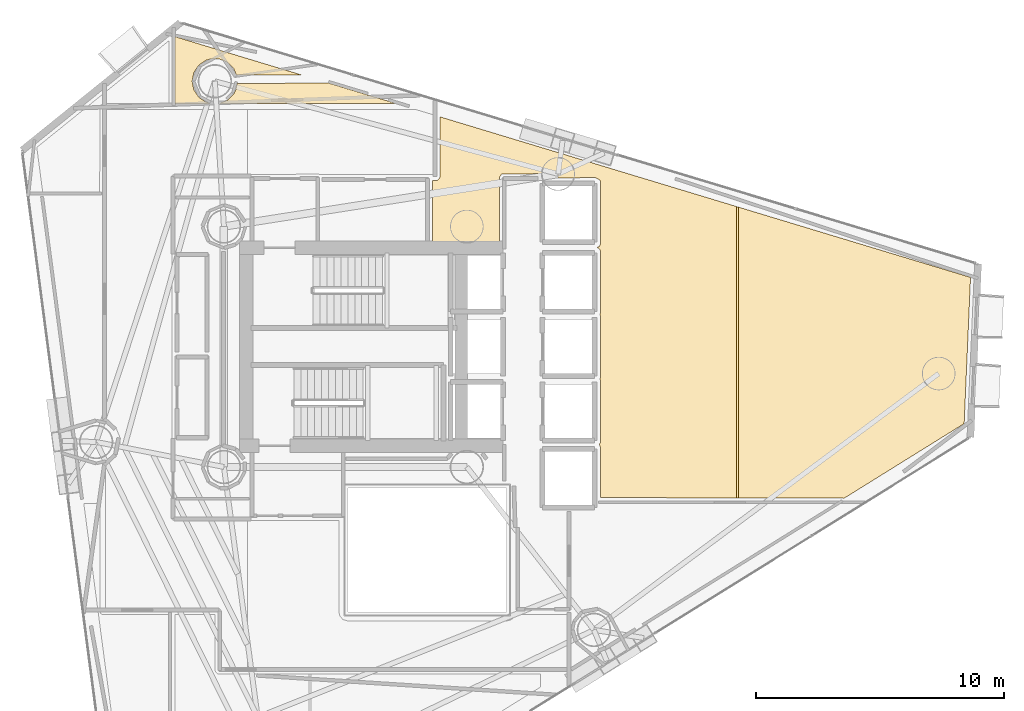
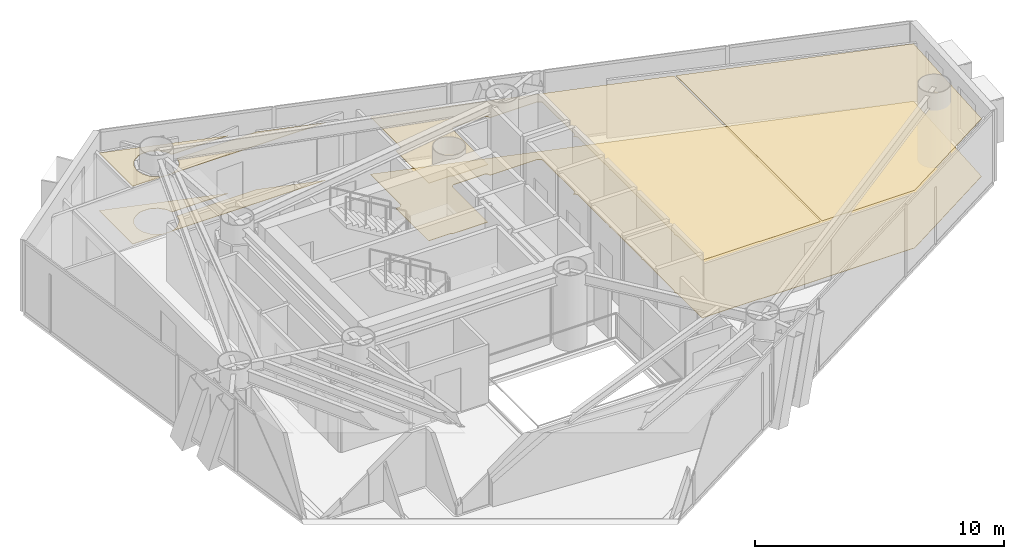
# One storey, part 22 of 22: 5 coverings.
"""IFC4 building model written with IfcOpenShell, lengths in metres."""

import ifcopenshell
import ifcopenshell.guid

model = None  # the IFC model being written
_history = None  # IfcOwnerHistory: only IFC2X3 demands one
_inside = {}  # id of a spatial element -> (the spatial element, [elements in it])
_under = {}  # id of a project, library or spatial element -> (it, [spatial elements below it])
_declared = {}  # id of a project -> (the project, [libraries it declares])
_typed = {}  # id of a type object -> (the type object, [elements of that type])
_made_of = {}  # id of a material, layer set ... -> (it, [elements and type objects made of it])


def new_model(schema):
    """Start an empty IFC model of exactly this schema.

    Asked for "IFC4X3", IfcOpenShell would pick the latest addendum, in which some entities
    have other attributes; the version numbers below select the first issue.
    IFC2X3 requires an IfcOwnerHistory on every rooted entity: one is made here for all.
    """
    global model, _history
    if schema == "IFC4X3":
        model = ifcopenshell.file(schema_version=(4, 3, 0, 0))
    else:
        model = ifcopenshell.file(schema=schema)
    _inside.clear()
    _under.clear()
    _declared.clear()
    _typed.clear()
    _made_of.clear()
    _history = None
    if model.schema == "IFC2X3":
        org = make("IfcOrganization", Name="unknown")
        user = make(
            "IfcPersonAndOrganization",
            ThePerson=make("IfcPerson", FamilyName="unknown"),
            TheOrganization=org,
        )
        app = make(
            "IfcApplication",
            ApplicationDeveloper=org,
            Version="unknown",
            ApplicationFullName="unknown",
            ApplicationIdentifier="unknown",
        )
        _history = make(
            "IfcOwnerHistory",
            OwningUser=user,
            OwningApplication=app,
            ChangeAction="ADDED",
            CreationDate=0,
        )
    return model


def make(cls, **values):
    """One entity of the class cls with the attributes given. An attribute that is None is left unset."""
    return model.create_entity(
        cls, **{name: value for name, value in values.items() if value is not None}
    )


def rooted(cls, **values):
    """An entity with a GlobalId (a new one), such as an element, a storey or a relation."""
    return make(cls, GlobalId=ifcopenshell.guid.new(), OwnerHistory=_history, **values)


def si_unit(unit_type, name, prefix=None):
    """IfcSIUnit, for example si_unit("LENGTHUNIT", "METRE", prefix="MILLI")."""
    return make("IfcSIUnit", UnitType=unit_type, Prefix=prefix, Name=name)


def assignment(units):
    """IfcUnitAssignment: the units of a project."""
    return None if units is None else make("IfcUnitAssignment", Units=units)


def point(xyz):
    """IfcCartesianPoint."""
    return None if xyz is None else make("IfcCartesianPoint", Coordinates=xyz)


def direction(xyz):
    """IfcDirection."""
    return None if xyz is None else make("IfcDirection", DirectionRatios=xyz)


def frame(location, z_axis=None, x_axis=None):
    """IfcAxis2Placement3D, a coordinate frame: its origin and axes. An axis left out is left unset."""
    return make(
        "IfcAxis2Placement3D",
        Location=point(location),
        Axis=direction(z_axis),
        RefDirection=direction(x_axis),
    )


def origin():
    """The frame at (0, 0, 0) with its axes left unset."""
    return frame((0.0, 0.0, 0.0))


def place(relative_to, where):
    """IfcLocalPlacement: puts the frame where relative to a parent placement (None: the world)."""
    return make(
        "IfcLocalPlacement", PlacementRelTo=relative_to, RelativePlacement=where
    )


def context(
    kind, dimensions, precision=None, world=None, true_north=None, identifier=None
):
    """IfcGeometricRepresentationContext, for example the 3D "Model" context."""
    return make(
        "IfcGeometricRepresentationContext",
        ContextIdentifier=identifier,
        ContextType=kind,
        CoordinateSpaceDimension=dimensions,
        Precision=precision,
        WorldCoordinateSystem=world,
        TrueNorth=true_north,
    )


def subcontext(parent, identifier, kind, view, scale=None):
    """IfcGeometricRepresentationSubContext, for example "Body" below "Model"."""
    return make(
        "IfcGeometricRepresentationSubContext",
        ContextIdentifier=identifier,
        ContextType=kind,
        ParentContext=parent,
        TargetScale=scale,
        TargetView=view,
    )


def project(units=None, contexts=None):
    """IfcProject with its units and contexts."""
    return rooted(
        "IfcProject",
        Name="project",
        RepresentationContexts=contexts,
        UnitsInContext=assignment(units),
    )


def spatial(cls, under=None, at=None, **own):
    """A site, building, storey or space (cls), placed at a placement, below another one or the project."""
    s = rooted(cls, ObjectPlacement=at, **own)
    if under is not None:
        _under.setdefault(under.id(), (under, []))[1].append(s)
    return s


def polyline(points):
    """IfcPolyline through the points."""
    return make("IfcPolyline", Points=[point(p) for p in points])


def outline(outer, holes=None, kind="AREA"):
    """IfcArbitraryClosedProfileDef: a profile drawn as a closed curve; with holes, ...WithVoids."""
    if holes is None:
        return make("IfcArbitraryClosedProfileDef", ProfileType=kind, OuterCurve=outer)
    return make(
        "IfcArbitraryProfileDefWithVoids",
        ProfileType=kind,
        OuterCurve=outer,
        InnerCurves=holes,
    )


def extrude(swept, where, along, depth):
    """IfcExtrudedAreaSolid: the profile swept, set in the frame where, extruded along a direction by depth."""
    return make(
        "IfcExtrudedAreaSolid",
        SweptArea=swept,
        Position=where,
        ExtrudedDirection=direction(along),
        Depth=depth,
    )


def shape(context_of_items, identifier, shape_type, items):
    """IfcShapeRepresentation: the items that make up one representation, for example the "Body"."""
    return make(
        "IfcShapeRepresentation",
        ContextOfItems=context_of_items,
        RepresentationIdentifier=identifier,
        RepresentationType=shape_type,
        Items=items,
    )


def material(Name=None, Category=None):
    """IfcMaterial."""
    return make("IfcMaterial", Name=Name, Category=Category)


def layer(
    of_material, thickness, ventilated=None, Name=None, Category=None, Priority=None
):
    """IfcMaterialLayer: one layer of a wall or slab, of a material (None: an air gap)."""
    return make(
        "IfcMaterialLayer",
        Material=of_material,
        LayerThickness=thickness,
        IsVentilated=ventilated,
        Name=Name,
        Category=Category,
        Priority=Priority,
    )


def layer_set(layers, Name=None):
    """IfcMaterialLayerSet."""
    return make("IfcMaterialLayerSet", MaterialLayers=layers, LayerSetName=Name)


def made_of(thing, what):
    """Note that an element or type object is made of a material, layer set ...; save() writes the relation."""
    if what is not None:
        _made_of.setdefault(what.id(), (what, []))[1].append(thing)
    return thing


def type_object(cls, material=None, **own):
    """A type object (cls), such as IfcWallType, which elements share."""
    return made_of(rooted(cls, **own), material)


def element(
    cls,
    number,
    at=None,
    inside=None,
    cuts=None,
    type_object=None,
    material=None,
    context=None,
    identifier="Body",
    shape_type=None,
    held_by="IfcProductDefinitionShape",
    body=None,
    shapes=None,
    **own,
):
    """One element of the class cls, such as IfcWall. Its Tag is "e" and its number.

    at: its placement. inside: the storey or other place that contains it. cuts: it is an
    opening in that element (IfcRelVoidsElement). A single representation is given by context,
    identifier, shape_type and body (its items); several are given by shapes. held_by: the class
    of the entity that holds the representations. save() writes the other relations.
    """
    e = rooted(cls, Tag="e%d" % number, ObjectPlacement=at, **own)
    if body is not None:
        shapes = [shape(context, identifier, shape_type, body)]
    if shapes is not None:
        e.Representation = make(held_by, Representations=shapes)
    if inside is not None:
        _inside.setdefault(inside.id(), (inside, []))[1].append(e)
    if cuts is not None:
        rooted(
            "IfcRelVoidsElement", RelatingBuildingElement=cuts, RelatedOpeningElement=e
        )
    if type_object is not None:
        _typed.setdefault(type_object.id(), (type_object, []))[1].append(e)
    return made_of(e, material)


def aggregate(whole, parts):
    """IfcRelAggregates: a whole, such as a stair, and the parts it consists of."""
    return rooted("IfcRelAggregates", RelatingObject=whole, RelatedObjects=parts)


def save(model, path):
    """Write the relations noted so far, then the file.

    IfcRelAggregates (storeys below a building ...), IfcRelContainedInSpatialStructure (elements
    in a storey), IfcRelDefinesByType, IfcRelAssociatesMaterial and IfcRelDeclares: one each for
    every whole, place, type object, material and project.
    """
    for whole, parts in _under.values():
        aggregate(whole, parts)
    for where, things in _inside.values():
        rooted(
            "IfcRelContainedInSpatialStructure",
            RelatedElements=things,
            RelatingStructure=where,
        )
    for kind, things in _typed.values():
        rooted("IfcRelDefinesByType", RelatedObjects=things, RelatingType=kind)
    for what, things in _made_of.values():
        rooted("IfcRelAssociatesMaterial", RelatedObjects=things, RelatingMaterial=what)
    for by, libraries in _declared.values():
        rooted("IfcRelDeclares", RelatingContext=by, RelatedDefinitions=libraries)
    model.write(path)


model = new_model("IFC4")

# Units and contexts
model_context = context("Model", 3, precision=1e-05, world=origin(), true_north=direction((0.0, 1.0)))
body_context = subcontext(model_context, "Body", "Model", "MODEL_VIEW")
ifc_project = project(units=[si_unit("LENGTHUNIT", "METRE"), si_unit("AREAUNIT", "SQUARE_METRE"), si_unit("VOLUMEUNIT", "CUBIC_METRE"), si_unit("PLANEANGLEUNIT", "RADIAN"), si_unit("MASSUNIT", "GRAM", prefix="KILO")], contexts=[model_context])

# Site, building, storey
site_placement = place(None, origin())
site = spatial("IfcSite", under=ifc_project, at=site_placement, CompositionType="ELEMENT")
building_placement = place(site_placement, origin())
building = spatial("IfcBuilding", under=site, at=building_placement, Name="Qianvela Tower", CompositionType="ELEMENT")
storey_placement = place(building_placement, frame((0.0, 0.0, 177.199951171875)))
storey = spatial("IfcBuildingStorey", under=building, at=storey_placement, Name="L45", CompositionType="ELEMENT", Elevation=177.199951171875)

# Coverings
ifc_material_1 = material(Name="Perforated Mineral Acoustic Ceiling Tile")
ifc_layer_1 = layer(ifc_material_1, 0.02490234375)
ifc_layer_set_1 = layer_set([ifc_layer_1], Name="Perforated Mineral Acoustic Ceiling Tile")
covering_type_1 = type_object("IfcCoveringType", Name="COV-CEIL-ACOUSTIC-25", PredefinedType="CEILING", material=ifc_layer_set_1)
covering_1_placement = place(storey_placement, frame((0.0, 0.0, 2.81494140625)))
element("IfcCovering", 1, at=covering_1_placement, inside=storey, type_object=covering_type_1, Name="L45 Acoustic Ceiling Bay 1 Maker Craft Workshop L45-04", PredefinedType="CEILING", context=body_context, shape_type="SweptSolid", body=[
    extrude(outline(polyline([(43.722412109375, 32.739013671875), (43.729248046875, 32.74267578125), (43.73583984375, 32.746826171875), (43.741943359375, 32.751953125), (43.74755859375, 32.757568359375), (43.75244140625, 32.763427734375), (43.7568359375, 32.77001953125), (43.760498046875, 32.777099609375), (43.763427734375, 32.7841796875), (43.79541015625, 32.873046875), (43.79736328125, 32.879638671875), (43.798828125, 32.88671875), (43.7998046875, 32.8935546875), (43.800048828125, 32.900390625), (43.783447265625, 35.366455078125), (43.782958984375, 35.374755859375), (43.78173828125, 35.3828125), (43.779541015625, 35.390625), (43.776611328125, 35.398193359375), (43.77294921875, 35.40576171875), (43.7685546875, 35.41259765625), (43.763427734375, 35.4189453125), (43.7578125, 35.4248046875), (43.75146484375, 35.429931640625), (43.74462890625, 35.4345703125), (43.62109375, 35.508544921875), (43.61474609375, 35.51220703125), (43.608154296875, 35.514892578125), (43.601318359375, 35.51708984375), (43.593994140625, 35.518798828125), (43.5869140625, 35.519775390625), (43.57958984375, 35.52001953125), (41.429931640625, 35.51123046875), (41.40625, 35.58740234375), (41.4033203125, 35.594970703125), (41.399658203125, 35.602294921875), (41.395263671875, 35.609375), (41.390380859375, 35.615966796875), (41.384521484375, 35.621826171875), (41.37841796875, 35.627197265625), (41.37158203125, 35.6318359375), (41.312255859375, 35.66796875), (41.305908203125, 35.67138671875), (41.299072265625, 35.67431640625), (41.2919921875, 35.6767578125), (41.284912109375, 35.67822265625), (41.277587890625, 35.67919921875), (41.270263671875, 35.6796875), (39.84912109375, 35.673828125), (39.84130859375, 35.673583984375), (39.83349609375, 35.67236328125), (39.825927734375, 35.67041015625), (39.818603515625, 35.667724609375), (39.8115234375, 35.664306640625), (39.8046875, 35.660400390625), (39.798583984375, 35.65576171875), (39.792724609375, 35.650390625), (39.78759765625, 35.64453125), (39.782958984375, 35.638427734375), (39.7333984375, 35.564453125), (39.7294921875, 35.5576171875), (39.72607421875, 35.550537109375), (39.723388671875, 35.543212890625), (39.721435546875, 35.53564453125), (39.720458984375, 35.52783203125), (39.719970703125, 35.52001953125), (39.719970703125, 32.719970703125), (38.125, 32.719970703125), (38.03369140625, 32.762451171875), (38.025634765625, 32.765625), (38.017333984375, 32.76806640625), (38.0087890625, 32.76953125), (38.0, 32.77001953125), (37.010009765625, 32.77001953125), (37.010009765625, 35.400390625), (37.166015625, 35.401611328125), (37.17431640625, 35.402099609375), (37.1826171875, 35.4033203125), (37.1904296875, 35.405517578125), (37.1982421875, 35.408447265625), (37.20556640625, 35.412353515625), (37.212646484375, 35.416748046875), (37.218994140625, 35.422119140625), (37.224853515625, 35.427734375), (37.288818359375, 35.498291015625), (37.294189453125, 35.5048828125), (37.298828125, 35.511962890625), (37.302490234375, 35.51953125), (37.3056640625, 35.52734375), (37.307861328125, 35.535400390625), (37.30908203125, 35.543701171875), (37.3095703125, 35.552001953125), (37.31005859375, 37.976806640625), (49.276611328125, 34.3564453125), (49.276611328125, 22.60009765625), (46.470703125, 22.60009765625), (46.46630859375, 22.603759765625), (46.4599609375, 22.6083984375), (46.453369140625, 22.612548828125), (46.4462890625, 22.615966796875), (46.438720703125, 22.61865234375), (46.43115234375, 22.62060546875), (46.42333984375, 22.62158203125), (46.41552734375, 22.6220703125), (43.800048828125, 22.6220703125), (43.800048828125, 24.60009765625), (43.799560546875, 24.60791015625), (43.798583984375, 24.615478515625), (43.796630859375, 24.623291015625), (43.7939453125, 24.630615234375), (43.7529296875, 24.7294921875), (43.74951171875, 24.73681640625), (43.74560546875, 24.743408203125), (43.74072265625, 24.749755859375), (43.738525390625, 24.75244140625), (43.785888671875, 24.83154296875), (43.7900390625, 24.839111328125), (43.793212890625, 24.84716796875), (43.79541015625, 24.85546875), (43.796875, 24.864013671875), (43.79736328125, 24.87255859375), (43.800048828125, 27.2998046875), (43.799560546875, 27.307861328125), (43.79833984375, 27.31591796875), (43.79638671875, 27.323486328125), (43.793701171875, 27.3310546875), (43.7646484375, 27.39990234375), (43.793701171875, 27.468994140625), (43.79638671875, 27.476318359375), (43.79833984375, 27.484130859375), (43.799560546875, 27.491943359375), (43.800048828125, 27.5), (43.800048828125, 29.89990234375), (43.799560546875, 29.907958984375), (43.79833984375, 29.915771484375), (43.79638671875, 29.923583984375), (43.793701171875, 29.93115234375), (43.7646484375, 30.0), (43.793701171875, 30.06884765625), (43.79638671875, 30.076416015625), (43.79833984375, 30.084228515625), (43.799560546875, 30.09228515625), (43.800048828125, 30.10009765625), (43.7939453125, 32.540771484375), (43.793701171875, 32.548583984375), (43.79248046875, 32.556396484375), (43.79052734375, 32.56396484375), (43.787841796875, 32.5712890625), (43.784423828125, 32.578369140625), (43.780517578125, 32.585205078125), (43.7353515625, 32.652587890625), (43.73095703125, 32.658447265625), (43.726318359375, 32.6640625), (43.720947265625, 32.6689453125), (43.715087890625, 32.673583984375), (43.708984375, 32.677490234375), (43.702392578125, 32.680908203125), (43.69580078125, 32.68359375), (43.644287109375, 32.701904296875), (43.722412109375, 32.739013671875)])), origin(), (0.0, 0.0, 1.0), 0.025146484375),
])
covering_2_placement = place(storey_placement, frame((0.0, 0.0, 2.81494140625)))
element("IfcCovering", 2, at=covering_2_placement, inside=storey, type_object=covering_type_1, Name="L45 Acoustic Ceiling Bay 2 Maker Craft Workshop L45-04", PredefinedType="CEILING", context=body_context, shape_type="SweptSolid", body=[
    extrude(outline(polyline([(58.718994140625, 31.49951171875), (58.461181640625, 25.59912109375), (53.611083984375, 22.58349609375), (53.599609375, 22.58984375), (53.59228515625, 22.593505859375), (53.584716796875, 22.59619140625), (53.576904296875, 22.598388671875), (53.56884765625, 22.599609375), (53.560791015625, 22.60009765625), (49.3564453125, 22.60009765625), (49.3564453125, 34.332275390625), (58.718994140625, 31.49951171875)])), origin(), (0.0, 0.0, 1.0), 0.025146484375),
])
covering_3_placement = place(storey_placement, frame((0.0, 0.0, 2.81494140625)))
element("IfcCovering", 3, at=covering_3_placement, inside=storey, type_object=covering_type_1, Name="L45 Acoustic Ceiling Student Reading Library L45-05", PredefinedType="CEILING", context=body_context, shape_type="SweptSolid", body=[
    extrude(outline(polyline([(26.6220703125, 41.21044921875), (31.7099609375, 39.671142578125), (29.10400390625, 39.66455078125), (29.003173828125, 39.90576171875), (28.999755859375, 39.912841796875), (28.99560546875, 39.91943359375), (28.9912109375, 39.92578125), (28.98583984375, 39.931396484375), (28.755615234375, 40.161865234375), (28.749755859375, 40.1669921875), (28.743408203125, 40.171875), (28.736572265625, 40.17578125), (28.7294921875, 40.17919921875), (28.428466796875, 40.303955078125), (28.421142578125, 40.306396484375), (28.41357421875, 40.308349609375), (28.40576171875, 40.3095703125), (28.39794921875, 40.31005859375), (28.072021484375, 40.31005859375), (28.064208984375, 40.3095703125), (28.056396484375, 40.308349609375), (28.048828125, 40.306396484375), (27.89208984375, 40.259033203125), (27.884765625, 40.25634765625), (27.877685546875, 40.2529296875), (27.87109375, 40.2490234375), (27.60009765625, 40.068115234375), (27.59375, 40.063232421875), (27.587890625, 40.05810546875), (27.582763671875, 40.05224609375), (27.577880859375, 40.0458984375), (27.39697265625, 39.77490234375), (27.39306640625, 39.768310546875), (27.3896484375, 39.76123046875), (27.386962890625, 39.75390625), (27.385009765625, 39.74609375), (27.321533203125, 39.426513671875), (27.3203125, 39.418701171875), (27.320068359375, 39.410888671875), (27.3203125, 39.4033203125), (27.321533203125, 39.3955078125), (27.385009765625, 39.075927734375), (27.386962890625, 39.068115234375), (27.3896484375, 39.060791015625), (27.39306640625, 39.0537109375), (27.39697265625, 39.047119140625), (27.577880859375, 38.776123046875), (27.582763671875, 38.769775390625), (27.587890625, 38.763916015625), (27.59375, 38.7587890625), (27.60009765625, 38.75390625), (27.87109375, 38.572998046875), (27.877685546875, 38.569091796875), (27.884765625, 38.565673828125), (27.89208984375, 38.56298828125), (28.048828125, 38.515380859375), (28.056396484375, 38.513671875), (28.064208984375, 38.512451171875), (28.072021484375, 38.511962890625), (28.39794921875, 38.511962890625), (28.40576171875, 38.512451171875), (28.41357421875, 38.513671875), (28.421142578125, 38.515380859375), (28.428466796875, 38.51806640625), (28.7294921875, 38.642822265625), (28.736572265625, 38.646240234375), (28.743408203125, 38.650146484375), (28.749755859375, 38.65478515625), (28.755615234375, 38.66015625), (28.98583984375, 38.890380859375), (28.9912109375, 38.896240234375), (28.995849609375, 38.902587890625), (28.999755859375, 38.909423828125), (29.076904296875, 39.0537109375), (29.080322265625, 39.060791015625), (29.0830078125, 39.068115234375), (29.0849609375, 39.07568359375), (29.135009765625, 39.32470703125), (32.824462890625, 39.333984375), (35.5478515625, 38.510009765625), (26.6220703125, 38.510009765625), (26.6220703125, 41.21044921875)])), origin(), (0.0, 0.0, 1.0), 0.025146484375),
])
ifc_material_2 = material(Name="Engineered Acoustic Oak Timber Flooring", Category="wood")
ifc_layer_2 = layer(ifc_material_2, 0.02001953125)
ifc_layer_set_2 = layer_set([ifc_layer_2], Name="Engineered Acoustic Oak Timber Flooring")
covering_type_2 = type_object("IfcCoveringType", Name="COV-FLOOR-OAK-20", PredefinedType="FLOORING", material=ifc_layer_set_2)
covering_4_placement = place(storey_placement, origin())
element("IfcCovering", 4, at=covering_4_placement, inside=storey, type_object=covering_type_2, Name="L45 Finish Flooring Maker Craft Workshop L45-04", PredefinedType="FLOORING", context=body_context, shape_type="SweptSolid", body=[
    extrude(outline(polyline([(43.644287109375, 32.701904296875), (43.722412109375, 32.739013671875), (43.729248046875, 32.74267578125), (43.73583984375, 32.746826171875), (43.741943359375, 32.751953125), (43.74755859375, 32.757568359375), (43.75244140625, 32.763427734375), (43.7568359375, 32.77001953125), (43.760498046875, 32.777099609375), (43.763427734375, 32.7841796875), (43.79541015625, 32.873046875), (43.79736328125, 32.879638671875), (43.798828125, 32.88671875), (43.7998046875, 32.8935546875), (43.800048828125, 32.900390625), (43.783447265625, 35.366455078125), (43.782958984375, 35.374755859375), (43.78173828125, 35.3828125), (43.779541015625, 35.390625), (43.776611328125, 35.398193359375), (43.77294921875, 35.40576171875), (43.7685546875, 35.41259765625), (43.763427734375, 35.4189453125), (43.7578125, 35.4248046875), (43.75146484375, 35.429931640625), (43.74462890625, 35.4345703125), (43.62109375, 35.508544921875), (43.61474609375, 35.51220703125), (43.608154296875, 35.514892578125), (43.601318359375, 35.51708984375), (43.593994140625, 35.518798828125), (43.5869140625, 35.519775390625), (43.57958984375, 35.52001953125), (41.429931640625, 35.51123046875), (41.40625, 35.58740234375), (41.4033203125, 35.594970703125), (41.399658203125, 35.602294921875), (41.395263671875, 35.609375), (41.390380859375, 35.615966796875), (41.384521484375, 35.621826171875), (41.37841796875, 35.627197265625), (41.37158203125, 35.6318359375), (41.312255859375, 35.66796875), (41.305908203125, 35.67138671875), (41.299072265625, 35.67431640625), (41.2919921875, 35.6767578125), (41.284912109375, 35.67822265625), (41.277587890625, 35.67919921875), (41.270263671875, 35.6796875), (39.84912109375, 35.673828125), (39.84130859375, 35.673583984375), (39.83349609375, 35.67236328125), (39.825927734375, 35.67041015625), (39.818603515625, 35.667724609375), (39.8115234375, 35.664306640625), (39.8046875, 35.660400390625), (39.798583984375, 35.65576171875), (39.792724609375, 35.650390625), (39.78759765625, 35.64453125), (39.782958984375, 35.638427734375), (39.7333984375, 35.564453125), (39.7294921875, 35.5576171875), (39.72607421875, 35.550537109375), (39.723388671875, 35.543212890625), (39.721435546875, 35.53564453125), (39.720458984375, 35.52783203125), (39.719970703125, 35.52001953125), (39.719970703125, 32.719970703125), (38.125, 32.719970703125), (38.03369140625, 32.762451171875), (38.025634765625, 32.765625), (38.017333984375, 32.76806640625), (38.0087890625, 32.76953125), (38.0, 32.77001953125), (37.010009765625, 32.77001953125), (37.010009765625, 35.400390625), (37.166015625, 35.401611328125), (37.17431640625, 35.402099609375), (37.1826171875, 35.4033203125), (37.1904296875, 35.405517578125), (37.1982421875, 35.408447265625), (37.20556640625, 35.412353515625), (37.212646484375, 35.416748046875), (37.218994140625, 35.422119140625), (37.224853515625, 35.427734375), (37.288818359375, 35.498291015625), (37.294189453125, 35.5048828125), (37.298828125, 35.511962890625), (37.302490234375, 35.51953125), (37.3056640625, 35.52734375), (37.307861328125, 35.535400390625), (37.30908203125, 35.543701171875), (37.3095703125, 35.552001953125), (37.31005859375, 37.976806640625), (58.718994140625, 31.49951171875), (58.461181640625, 25.59912109375), (53.611083984375, 22.58349609375), (53.599609375, 22.58984375), (53.59228515625, 22.593505859375), (53.584716796875, 22.59619140625), (53.576904296875, 22.598388671875), (53.56884765625, 22.599609375), (53.560791015625, 22.60009765625), (46.470703125, 22.60009765625), (46.46630859375, 22.603759765625), (46.4599609375, 22.6083984375), (46.453369140625, 22.612548828125), (46.4462890625, 22.615966796875), (46.438720703125, 22.61865234375), (46.43115234375, 22.62060546875), (46.42333984375, 22.62158203125), (46.41552734375, 22.6220703125), (43.800048828125, 22.6220703125), (43.800048828125, 24.60009765625), (43.799560546875, 24.60791015625), (43.798583984375, 24.615478515625), (43.796630859375, 24.623291015625), (43.7939453125, 24.630615234375), (43.7529296875, 24.7294921875), (43.74951171875, 24.73681640625), (43.74560546875, 24.743408203125), (43.74072265625, 24.749755859375), (43.738525390625, 24.75244140625), (43.785888671875, 24.83154296875), (43.7900390625, 24.839111328125), (43.793212890625, 24.84716796875), (43.79541015625, 24.85546875), (43.796875, 24.864013671875), (43.79736328125, 24.87255859375), (43.800048828125, 27.2998046875), (43.799560546875, 27.307861328125), (43.79833984375, 27.31591796875), (43.79638671875, 27.323486328125), (43.793701171875, 27.3310546875), (43.7646484375, 27.39990234375), (43.793701171875, 27.468994140625), (43.79638671875, 27.476318359375), (43.79833984375, 27.484130859375), (43.799560546875, 27.491943359375), (43.800048828125, 27.5), (43.800048828125, 29.89990234375), (43.799560546875, 29.907958984375), (43.79833984375, 29.915771484375), (43.79638671875, 29.923583984375), (43.793701171875, 29.93115234375), (43.7646484375, 30.0), (43.793701171875, 30.06884765625), (43.79638671875, 30.076416015625), (43.79833984375, 30.084228515625), (43.799560546875, 30.09228515625), (43.800048828125, 30.10009765625), (43.7939453125, 32.540771484375), (43.793701171875, 32.548583984375), (43.79248046875, 32.556396484375), (43.79052734375, 32.56396484375), (43.787841796875, 32.5712890625), (43.784423828125, 32.578369140625), (43.780517578125, 32.585205078125), (43.7353515625, 32.652587890625), (43.73095703125, 32.658447265625), (43.726318359375, 32.6640625), (43.720947265625, 32.6689453125), (43.715087890625, 32.673583984375), (43.708984375, 32.677490234375), (43.702392578125, 32.680908203125), (43.69580078125, 32.68359375), (43.644287109375, 32.701904296875)])), origin(), (0.0, 0.0, 1.0), 0.02001953125),
])
covering_5_placement = place(storey_placement, origin())
element("IfcCovering", 5, at=covering_5_placement, inside=storey, type_object=covering_type_2, Name="L45 Finish Flooring Student Reading Library L45-05", PredefinedType="FLOORING", context=body_context, shape_type="SweptSolid", body=[
    extrude(outline(polyline([(26.6220703125, 41.21044921875), (31.7099609375, 39.671142578125), (29.10400390625, 39.66455078125), (29.003173828125, 39.90576171875), (28.999755859375, 39.912841796875), (28.99560546875, 39.91943359375), (28.9912109375, 39.92578125), (28.98583984375, 39.931396484375), (28.755615234375, 40.161865234375), (28.749755859375, 40.1669921875), (28.743408203125, 40.171875), (28.736572265625, 40.17578125), (28.7294921875, 40.17919921875), (28.428466796875, 40.303955078125), (28.421142578125, 40.306396484375), (28.41357421875, 40.308349609375), (28.40576171875, 40.3095703125), (28.39794921875, 40.31005859375), (28.072021484375, 40.31005859375), (28.064208984375, 40.3095703125), (28.056396484375, 40.308349609375), (28.048828125, 40.306396484375), (27.89208984375, 40.259033203125), (27.884765625, 40.25634765625), (27.877685546875, 40.2529296875), (27.87109375, 40.2490234375), (27.60009765625, 40.068115234375), (27.59375, 40.063232421875), (27.587890625, 40.05810546875), (27.582763671875, 40.05224609375), (27.577880859375, 40.0458984375), (27.39697265625, 39.77490234375), (27.39306640625, 39.768310546875), (27.3896484375, 39.76123046875), (27.386962890625, 39.75390625), (27.385009765625, 39.74609375), (27.321533203125, 39.426513671875), (27.3203125, 39.418701171875), (27.320068359375, 39.410888671875), (27.3203125, 39.4033203125), (27.321533203125, 39.3955078125), (27.385009765625, 39.075927734375), (27.386962890625, 39.068115234375), (27.3896484375, 39.060791015625), (27.39306640625, 39.0537109375), (27.39697265625, 39.047119140625), (27.577880859375, 38.776123046875), (27.582763671875, 38.769775390625), (27.587890625, 38.763916015625), (27.59375, 38.7587890625), (27.60009765625, 38.75390625), (27.87109375, 38.572998046875), (27.877685546875, 38.569091796875), (27.884765625, 38.565673828125), (27.89208984375, 38.56298828125), (28.048828125, 38.515380859375), (28.056396484375, 38.513671875), (28.064208984375, 38.512451171875), (28.072021484375, 38.511962890625), (28.39794921875, 38.511962890625), (28.40576171875, 38.512451171875), (28.41357421875, 38.513671875), (28.421142578125, 38.515380859375), (28.428466796875, 38.51806640625), (28.7294921875, 38.642822265625), (28.736572265625, 38.646240234375), (28.743408203125, 38.650146484375), (28.749755859375, 38.65478515625), (28.755615234375, 38.66015625), (28.98583984375, 38.890380859375), (28.9912109375, 38.896240234375), (28.995849609375, 38.902587890625), (28.999755859375, 38.909423828125), (29.076904296875, 39.0537109375), (29.080322265625, 39.060791015625), (29.0830078125, 39.068115234375), (29.0849609375, 39.07568359375), (29.135009765625, 39.32470703125), (32.824462890625, 39.333984375), (35.5478515625, 38.510009765625), (26.6220703125, 38.510009765625), (26.6220703125, 41.21044921875)])), origin(), (0.0, 0.0, 1.0), 0.02001953125),
])

save(model, "model.ifc")
